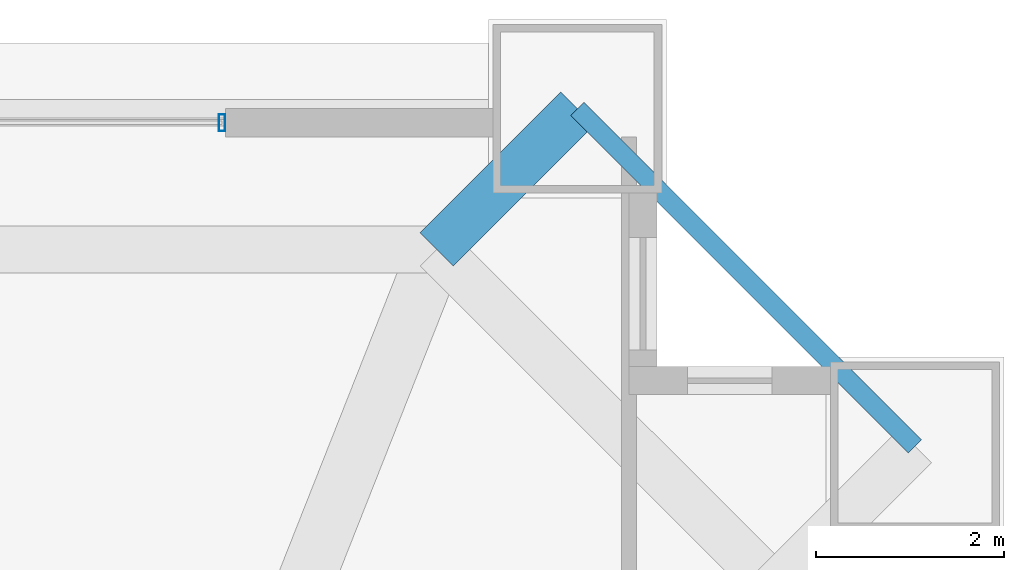
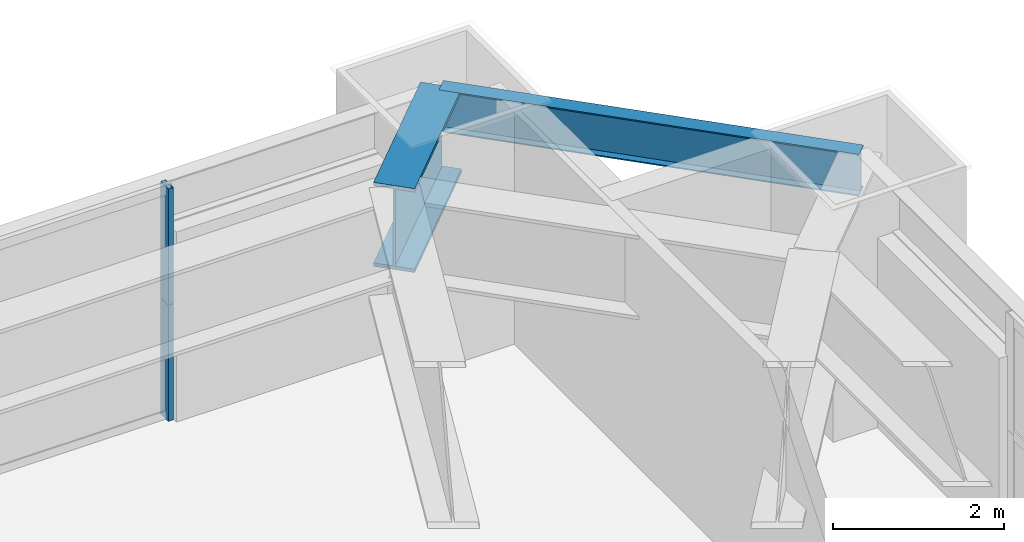
# One storey, part 38 of 44: 2 beams, 2 members, 1 element without a shape of its own.
"""IFC4 building model written with IfcOpenShell, lengths in metres."""

import ifcopenshell
import ifcopenshell.guid

model = None  # the IFC model being written
_history = None  # IfcOwnerHistory: only IFC2X3 demands one
_inside = {}  # id of a spatial element -> (the spatial element, [elements in it])
_under = {}  # id of a project, library or spatial element -> (it, [spatial elements below it])
_declared = {}  # id of a project -> (the project, [libraries it declares])
_typed = {}  # id of a type object -> (the type object, [elements of that type])
_made_of = {}  # id of a material, layer set ... -> (it, [elements and type objects made of it])


def new_model(schema):
    """Start an empty IFC model of exactly this schema.

    Asked for "IFC4X3", IfcOpenShell would pick the latest addendum, in which some entities
    have other attributes; the version numbers below select the first issue.
    IFC2X3 requires an IfcOwnerHistory on every rooted entity: one is made here for all.
    """
    global model, _history
    if schema == "IFC4X3":
        model = ifcopenshell.file(schema_version=(4, 3, 0, 0))
    else:
        model = ifcopenshell.file(schema=schema)
    _inside.clear()
    _under.clear()
    _declared.clear()
    _typed.clear()
    _made_of.clear()
    _history = None
    if model.schema == "IFC2X3":
        org = make("IfcOrganization", Name="unknown")
        user = make(
            "IfcPersonAndOrganization",
            ThePerson=make("IfcPerson", FamilyName="unknown"),
            TheOrganization=org,
        )
        app = make(
            "IfcApplication",
            ApplicationDeveloper=org,
            Version="unknown",
            ApplicationFullName="unknown",
            ApplicationIdentifier="unknown",
        )
        _history = make(
            "IfcOwnerHistory",
            OwningUser=user,
            OwningApplication=app,
            ChangeAction="ADDED",
            CreationDate=0,
        )
    return model


def make(cls, **values):
    """One entity of the class cls with the attributes given. An attribute that is None is left unset."""
    return model.create_entity(
        cls, **{name: value for name, value in values.items() if value is not None}
    )


def rooted(cls, **values):
    """An entity with a GlobalId (a new one), such as an element, a storey or a relation."""
    return make(cls, GlobalId=ifcopenshell.guid.new(), OwnerHistory=_history, **values)


def si_unit(unit_type, name, prefix=None):
    """IfcSIUnit, for example si_unit("LENGTHUNIT", "METRE", prefix="MILLI")."""
    return make("IfcSIUnit", UnitType=unit_type, Prefix=prefix, Name=name)


def assignment(units):
    """IfcUnitAssignment: the units of a project."""
    return None if units is None else make("IfcUnitAssignment", Units=units)


def point(xyz):
    """IfcCartesianPoint."""
    return None if xyz is None else make("IfcCartesianPoint", Coordinates=xyz)


def direction(xyz):
    """IfcDirection."""
    return None if xyz is None else make("IfcDirection", DirectionRatios=xyz)


def frame(location, z_axis=None, x_axis=None):
    """IfcAxis2Placement3D, a coordinate frame: its origin and axes. An axis left out is left unset."""
    return make(
        "IfcAxis2Placement3D",
        Location=point(location),
        Axis=direction(z_axis),
        RefDirection=direction(x_axis),
    )


def frame_2d(location, x_axis=None):
    """IfcAxis2Placement2D, a coordinate frame in the plane: its origin and x axis."""
    return make(
        "IfcAxis2Placement2D", Location=point(location), RefDirection=direction(x_axis)
    )


def origin():
    """The frame at (0, 0, 0) with its axes left unset."""
    return frame((0.0, 0.0, 0.0))


def origin_2d():
    """The frame at (0, 0) in the plane with its x axis left unset."""
    return frame_2d((0.0, 0.0))


def place(relative_to, where):
    """IfcLocalPlacement: puts the frame where relative to a parent placement (None: the world)."""
    return make(
        "IfcLocalPlacement", PlacementRelTo=relative_to, RelativePlacement=where
    )


def context(
    kind, dimensions, precision=None, world=None, true_north=None, identifier=None
):
    """IfcGeometricRepresentationContext, for example the 3D "Model" context."""
    return make(
        "IfcGeometricRepresentationContext",
        ContextIdentifier=identifier,
        ContextType=kind,
        CoordinateSpaceDimension=dimensions,
        Precision=precision,
        WorldCoordinateSystem=world,
        TrueNorth=true_north,
    )


def subcontext(parent, identifier, kind, view, scale=None):
    """IfcGeometricRepresentationSubContext, for example "Body" below "Model"."""
    return make(
        "IfcGeometricRepresentationSubContext",
        ContextIdentifier=identifier,
        ContextType=kind,
        ParentContext=parent,
        TargetScale=scale,
        TargetView=view,
    )


def project(units=None, contexts=None):
    """IfcProject with its units and contexts."""
    return rooted(
        "IfcProject",
        Name="project",
        RepresentationContexts=contexts,
        UnitsInContext=assignment(units),
    )


def spatial(cls, under=None, at=None, **own):
    """A site, building, storey or space (cls), placed at a placement, below another one or the project."""
    s = rooted(cls, ObjectPlacement=at, **own)
    if under is not None:
        _under.setdefault(under.id(), (under, []))[1].append(s)
    return s


def profile(cls, at=None, kind="AREA", **sizes):
    """A parametric profile (cls). Its sizes go by their IFC names, for example OverallWidth=200.0."""
    return make(cls, ProfileType=kind, Position=at, **sizes)


def hollow_rectangle(**sizes):
    """IfcRectangleHollowProfileDef."""
    return profile("IfcRectangleHollowProfileDef", **sizes)


def i_section(**sizes):
    """IfcIShapeProfileDef."""
    return profile("IfcIShapeProfileDef", **sizes)


def extrude(swept, where, along, depth):
    """IfcExtrudedAreaSolid: the profile swept, set in the frame where, extruded along a direction by depth."""
    return make(
        "IfcExtrudedAreaSolid",
        SweptArea=swept,
        Position=where,
        ExtrudedDirection=direction(along),
        Depth=depth,
    )


def shape(context_of_items, identifier, shape_type, items):
    """IfcShapeRepresentation: the items that make up one representation, for example the "Body"."""
    return make(
        "IfcShapeRepresentation",
        ContextOfItems=context_of_items,
        RepresentationIdentifier=identifier,
        RepresentationType=shape_type,
        Items=items,
    )


def source(mapping_origin, context_of_items, identifier, shape_type, items):
    """IfcRepresentationMap: a shape defined once, which mapped items show again and again."""
    return make(
        "IfcRepresentationMap",
        MappingOrigin=mapping_origin,
        MappedRepresentation=shape(context_of_items, identifier, shape_type, items),
    )


def transform(
    local_origin,
    x_axis=None,
    y_axis=None,
    z_axis=None,
    scale=None,
    scale2=None,
    scale3=None,
    uniform=True,
):
    """IfcCartesianTransformationOperator3D, or its non-uniform kind. x_axis, y_axis, z_axis: its Axis1, 2, 3."""
    if uniform:
        return make(
            "IfcCartesianTransformationOperator3D",
            Axis1=direction(x_axis),
            Axis2=direction(y_axis),
            LocalOrigin=point(local_origin),
            Scale=scale,
            Axis3=direction(z_axis),
        )
    return make(
        "IfcCartesianTransformationOperator3DnonUniform",
        Axis1=direction(x_axis),
        Axis2=direction(y_axis),
        LocalOrigin=point(local_origin),
        Scale=scale,
        Axis3=direction(z_axis),
        Scale2=scale2,
        Scale3=scale3,
    )


def mapped(mapping_source, mapping_target):
    """IfcMappedItem: shows the shape of a source again, moved by a transform."""
    return make(
        "IfcMappedItem", MappingSource=mapping_source, MappingTarget=mapping_target
    )


def material(Name=None, Category=None):
    """IfcMaterial."""
    return make("IfcMaterial", Name=Name, Category=Category)


def layer(
    of_material, thickness, ventilated=None, Name=None, Category=None, Priority=None
):
    """IfcMaterialLayer: one layer of a wall or slab, of a material (None: an air gap)."""
    return make(
        "IfcMaterialLayer",
        Material=of_material,
        LayerThickness=thickness,
        IsVentilated=ventilated,
        Name=Name,
        Category=Category,
        Priority=Priority,
    )


def layer_set(layers, Name=None):
    """IfcMaterialLayerSet."""
    return make("IfcMaterialLayerSet", MaterialLayers=layers, LayerSetName=Name)


def material_profile(
    of_material, cross_section, Name=None, Category=None, Priority=None
):
    """IfcMaterialProfile: a cross section and its material."""
    return make(
        "IfcMaterialProfile",
        Name=Name,
        Material=of_material,
        Profile=cross_section,
        Priority=Priority,
        Category=Category,
    )


def profile_set(profiles, Name=None, composite=None):
    """IfcMaterialProfileSet."""
    return make(
        "IfcMaterialProfileSet",
        Name=Name,
        MaterialProfiles=profiles,
        CompositeProfile=composite,
    )


def made_of(thing, what):
    """Note that an element or type object is made of a material, layer set ...; save() writes the relation."""
    if what is not None:
        _made_of.setdefault(what.id(), (what, []))[1].append(thing)
    return thing


def type_object(cls, material=None, **own):
    """A type object (cls), such as IfcWallType, which elements share."""
    return made_of(rooted(cls, **own), material)


def element(
    cls,
    number,
    at=None,
    inside=None,
    cuts=None,
    type_object=None,
    material=None,
    context=None,
    identifier="Body",
    shape_type=None,
    held_by="IfcProductDefinitionShape",
    body=None,
    shapes=None,
    **own,
):
    """One element of the class cls, such as IfcWall. Its Tag is "e" and its number.

    at: its placement. inside: the storey or other place that contains it. cuts: it is an
    opening in that element (IfcRelVoidsElement). A single representation is given by context,
    identifier, shape_type and body (its items); several are given by shapes. held_by: the class
    of the entity that holds the representations. save() writes the other relations.
    """
    e = rooted(cls, Tag="e%d" % number, ObjectPlacement=at, **own)
    if body is not None:
        shapes = [shape(context, identifier, shape_type, body)]
    if shapes is not None:
        e.Representation = make(held_by, Representations=shapes)
    if inside is not None:
        _inside.setdefault(inside.id(), (inside, []))[1].append(e)
    if cuts is not None:
        rooted(
            "IfcRelVoidsElement", RelatingBuildingElement=cuts, RelatedOpeningElement=e
        )
    if type_object is not None:
        _typed.setdefault(type_object.id(), (type_object, []))[1].append(e)
    return made_of(e, material)


def aggregate(whole, parts):
    """IfcRelAggregates: a whole, such as a stair, and the parts it consists of."""
    return rooted("IfcRelAggregates", RelatingObject=whole, RelatedObjects=parts)


def save(model, path):
    """Write the relations noted so far, then the file.

    IfcRelAggregates (storeys below a building ...), IfcRelContainedInSpatialStructure (elements
    in a storey), IfcRelDefinesByType, IfcRelAssociatesMaterial and IfcRelDeclares: one each for
    every whole, place, type object, material and project.
    """
    for whole, parts in _under.values():
        aggregate(whole, parts)
    for where, things in _inside.values():
        rooted(
            "IfcRelContainedInSpatialStructure",
            RelatedElements=things,
            RelatingStructure=where,
        )
    for kind, things in _typed.values():
        rooted("IfcRelDefinesByType", RelatedObjects=things, RelatingType=kind)
    for what, things in _made_of.values():
        rooted("IfcRelAssociatesMaterial", RelatedObjects=things, RelatingMaterial=what)
    for by, libraries in _declared.values():
        rooted("IfcRelDeclares", RelatingContext=by, RelatedDefinitions=libraries)
    model.write(path)


model = new_model("IFC4")

# Units and contexts
model_context = context("Model", 3, precision=1e-05, world=origin(), true_north=direction((0.0, 1.0)))
body_context = subcontext(model_context, "Body", "Model", "MODEL_VIEW")
ifc_project = project(units=[si_unit("LENGTHUNIT", "METRE"), si_unit("AREAUNIT", "SQUARE_METRE"), si_unit("VOLUMEUNIT", "CUBIC_METRE"), si_unit("PLANEANGLEUNIT", "RADIAN"), si_unit("MASSUNIT", "GRAM", prefix="KILO"), si_unit("THERMODYNAMICTEMPERATUREUNIT", "KELVIN"), si_unit("POWERUNIT", "WATT")], contexts=[model_context])

# Site, building, storey
site_placement = place(None, origin())
site = spatial("IfcSite", under=ifc_project, at=site_placement, CompositionType="ELEMENT")
building_placement = place(site_placement, origin())
building = spatial("IfcBuilding", under=site, at=building_placement, Name="Yuzanri Waterfront Tower", CompositionType="ELEMENT")
storey_placement = place(building_placement, frame((0.0, 0.0, 82.0)))
storey = spatial("IfcBuildingStorey", under=building, at=storey_placement, Name="L21", CompositionType="ELEMENT", Elevation=82.0)

# Beams
ifc_material_1 = material(Name="Steel Q355B", Category="steel")
ifc_material_profile_1 = material_profile(ifc_material_1, i_section(OverallWidth=0.199951171875, OverallDepth=0.60009765625, WebThickness=0.010986328125, FlangeThickness=0.01708984375, at=origin_2d()), Name="HN 600x200x11x17")
ifc_profile_set_1 = profile_set([ifc_material_profile_1], Name="Steel Q355B")
beam_type_1 = type_object("IfcBeamType", Name="Perimeter Spandrel Q355B HN 600x200", PredefinedType="SPANDREL", material=ifc_profile_set_1)
shared_shape_1 = source(origin(), body_context, "Body", "SweptSolid", [
    extrude(i_section(OverallWidth=0.199951171875, OverallDepth=0.60009765625, WebThickness=0.010986328125, FlangeThickness=0.01708984375, at=origin_2d()), origin(), (0.0, 0.0, 1.0), 5.091064453125),
])
beam_1_placement = place(storey_placement, frame((62.10009765625, 47.300048828125, 3.02001953125), z_axis=(-0.707130757816, 0.707082803744, 0.0), x_axis=(-0.707082803744, -0.707130757816, 0.0)))
element("IfcBeam", 1, at=beam_1_placement, inside=storey, type_object=beam_type_1, Name="L21 Perimeter Spandrel E3-N3", PredefinedType="SPANDREL", context=body_context, shape_type="MappedRepresentation", body=[
    mapped(shared_shape_1, transform((0.0, 0.0, 0.0), scale=1.0)),
])
ifc_material_2 = material(Name="Steel Q420GJC", Category="steel")
ifc_material_profile_2 = material_profile(ifc_material_2, i_section(OverallWidth=0.5, OverallDepth=1.199951171875, WebThickness=0.028076171875, FlangeThickness=0.050048828125, at=origin_2d()), Name="PG 1200x500x28x50")
ifc_profile_set_2 = profile_set([ifc_material_profile_2], Name="Steel Q420GJC")
beam_type_2 = type_object("IfcBeamType", Name="Setback Transfer Girder Q420GJC PG 1200x500", PredefinedType="USERDEFINED", material=ifc_profile_set_2)
shared_shape_2 = source(origin(), body_context, "Body", "SweptSolid", [
    extrude(i_section(OverallWidth=0.5, OverallDepth=1.199951171875, WebThickness=0.028076171875, FlangeThickness=0.050048828125, at=origin_2d()), origin(), (0.0, 0.0, 1.0), 2.121337890625),
])
beam_2_placement = place(storey_placement, frame((57.0, 49.39990234375, 2.719970703125), z_axis=(0.707106781187, 0.707106781187, 0.0), x_axis=(-0.707106781187, 0.707106781187, 0.0)))
element("IfcBeam", 2, at=beam_2_placement, inside=storey, type_object=beam_type_2, Name="L21 Setback Step Transfer N3", ObjectType="GIRDER", PredefinedType="USERDEFINED", context=body_context, shape_type="MappedRepresentation", body=[
    mapped(shared_shape_2, transform((0.0, 0.0, 0.0), scale=1.0)),
])

# Curtain wall, members
ifc_material_3 = material(Name="Anodized Architectural Bronze", Category="metal")
ifc_layer = layer(ifc_material_3, 0.159912109375)
ifc_layer_set = layer_set([ifc_layer], Name="Anodized Architectural Bronze")
curtain_wall_type = type_object("IfcCurtainWallType", Name="Anodized Bronze Hotel Lower-Tier Recessed Unitized Curtain Wall 8100", PredefinedType="NOTDEFINED", material=ifc_layer_set)
curtain_wall_placement = place(storey_placement, origin())
curtain_wall = element("IfcCurtainWall", 3, at=curtain_wall_placement, inside=storey, type_object=curtain_wall_type, Name="L21 Curtain Wall CW-L21-NR", PredefinedType="NOTDEFINED")
ifc_material_4 = material(Name="Anodized Architectural Bronze", Category="metal")
ifc_material_profile_3 = material_profile(ifc_material_4, hollow_rectangle(XDim=0.070068359375, YDim=0.179931640625, WallThickness=0.00390625, at=origin_2d()), Name="CWM 70x180")
ifc_profile_set_3 = profile_set([ifc_material_profile_3], Name="Anodized Architectural Bronze")
member_type = type_object("IfcMemberType", Name="Anodized Bronze Standard Curtain-Wall Mullion 70x180", PredefinedType="MULLION", material=ifc_profile_set_3)
shared_shape_3 = source(origin(), body_context, "Body", "SweptSolid", [
    extrude(hollow_rectangle(XDim=0.070068359375, YDim=0.179931640625, WallThickness=0.00390625, at=origin_2d()), origin(), (0.0, 0.0, 1.0), 1.657958984375),
])
member_1_placement = place(storey_placement, frame((54.7099609375, 50.75, 0.0), z_axis=(0.0, 0.0, 1.0), x_axis=(1.0, 0.0, 0.0)))
member_1 = element("IfcMember", 4, at=member_1_placement, type_object=member_type, Name="CW-L21-NR Lower Mullion 02", PredefinedType="MULLION", context=body_context, shape_type="MappedRepresentation", body=[
    mapped(shared_shape_3, transform((0.0, 0.0, 0.0), scale=1.0)),
])
member_2_placement = place(storey_placement, frame((54.7099609375, 50.75, 1.662109375), z_axis=(0.0, 0.0, 1.0), x_axis=(1.0, 0.0, 0.0)))
member_2 = element("IfcMember", 5, at=member_2_placement, type_object=member_type, Name="CW-L21-NR Upper Mullion 02", PredefinedType="MULLION", context=body_context, shape_type="MappedRepresentation", body=[
    mapped(shared_shape_3, transform((0.0, 0.0, 0.0), scale=1.0)),
])
aggregate(curtain_wall, [member_1, member_2])

save(model, "model.ifc")
